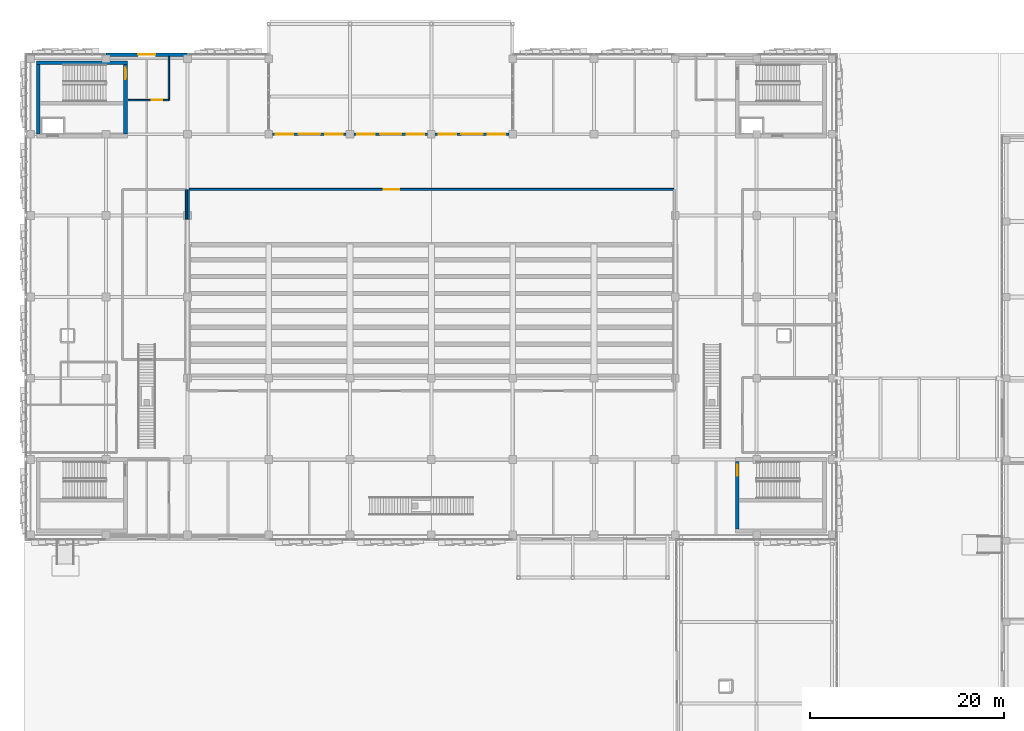
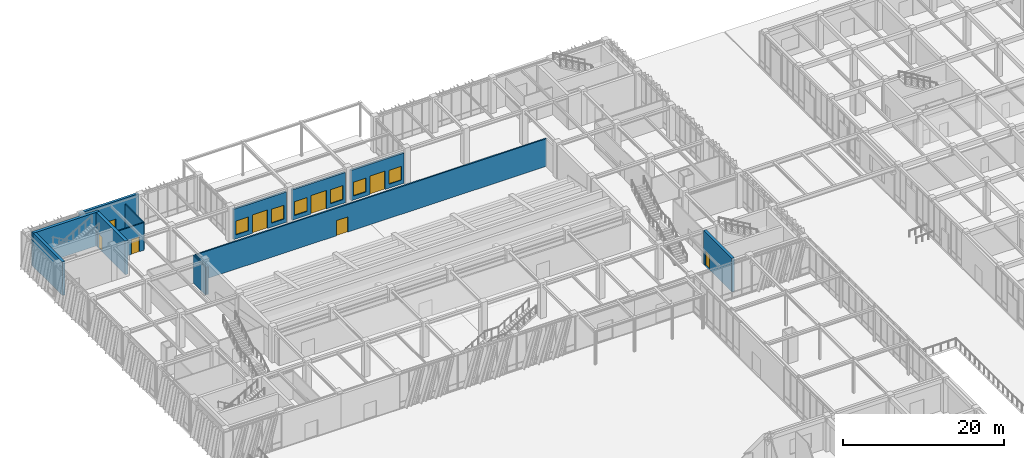
# One storey, part 97 of 122: 13 walls, 8 doors, 6 windows, 14 openings.
"""IFC4 building model written with IfcOpenShell, lengths in metres."""

from ifc_helpers import new_model, si_unit, direction, frame, frame_2d, origin, place, context, subcontext, project, spatial, rectangle, extrude, material, layer, layer_set, type_object, element, fill, save


model = new_model("IFC4")

# Units and contexts
model_context = context("Model", 3, precision=1e-05, world=origin(), true_north=direction((0.0, 1.0)))
body_context = subcontext(model_context, "Body", "Model", "MODEL_VIEW")
ifc_project = project(units=[si_unit("LENGTHUNIT", "METRE"), si_unit("AREAUNIT", "SQUARE_METRE"), si_unit("VOLUMEUNIT", "CUBIC_METRE"), si_unit("PLANEANGLEUNIT", "RADIAN"), si_unit("MASSUNIT", "GRAM", prefix="KILO")], contexts=[model_context])

# Site, building, storey
site_placement = place(None, origin())
site = spatial("IfcSite", under=ifc_project, at=site_placement, CompositionType="ELEMENT")
building_placement = place(site_placement, origin())
building = spatial("IfcBuilding", under=site, at=building_placement, Name="Zayran Congress Hotel", CompositionType="ELEMENT")
storey_placement = place(building_placement, origin())
storey = spatial("IfcBuildingStorey", under=building, at=storey_placement, Name="L00", CompositionType="ELEMENT", Elevation=0.0)

# Wall, opening, door
ifc_material_1 = material(Name="Hajar Ma'ani limestone and insulated concrete C32/40", Category="masonry")
ifc_layer_1 = layer(ifc_material_1, 0.360107421875)
ifc_layer_set_1 = layer_set([ifc_layer_1], Name="Hajar Ma'ani limestone and insulated concrete C32/40")
wall_type_1 = type_object("IfcWallType", Name="WL-EX-360", PredefinedType="SOLIDWALL", material=ifc_layer_set_1)
wall_1_placement = place(storey_placement, frame((16.800048828125, 117.820068359375, 0.0), z_axis=(0.0, 0.0, 1.0), x_axis=(1.0, 0.0, 0.0)))
wall_1 = element("IfcWall", 1, at=wall_1_placement, inside=storey, type_object=wall_type_1, Name="EW-V1-N-L00-1", PredefinedType="SOLIDWALL", context=body_context, shape_type="SweptSolid", body=[
    extrude(rectangle(XDim=8.39990234375, YDim=0.360107421875, at=frame_2d((4.199951171875, 0.0))), origin(), (0.0, 0.0, 1.0), 5.080078125),
])
opening_1_placement = place(wall_1_placement, frame((3.300048828125, 0.0, 0.0)))
opening_1 = element("IfcOpeningElement", 2, at=opening_1_placement, cuts=wall_1, Name="Opening DEX-03", PredefinedType="OPENING", context=body_context, shape_type="SweptSolid", body=[
    extrude(rectangle(XDim=1.800048828125, YDim=2.39990234375, at=frame_2d((0.89990234375, 1.199951171875))), frame((0.0, 0.18994140625, 0.0), z_axis=(0.0, -1.0, 0.0), x_axis=(1.0, 0.0, 0.0)), (0.0, 0.0, 1.0), 0.380126953125),
])
ifc_material_2 = material(Name="Painted steel fire exit door assembly", Category="steel")
door_type_1 = type_object("IfcDoorType", Name="TP-DEX-03", OperationType="DOUBLE_DOOR_SINGLE_SWING", PredefinedType="DOOR", material=ifc_material_2)
door_1_placement = place(opening_1_placement, origin())
door_1 = element("IfcDoor", 3, at=door_1_placement, inside=storey, type_object=door_type_1, Name="North Avenue Exit Door 5", OperationType="DOUBLE_DOOR_SINGLE_SWING", OverallHeight=2.39990234375, OverallWidth=1.800048828125, PredefinedType="DOOR", context=body_context, shape_type="SweptSolid", body=[
    extrude(rectangle(XDim=1.800048828125, YDim=2.39990234375, at=frame_2d((0.89990234375, 1.199951171875))), frame((0.0, 0.02490234375, 0.0), z_axis=(0.0, -1.0, 0.0), x_axis=(1.0, 0.0, 0.0)), (0.0, 0.0, 1.0), 0.050048828125),
])
fill(opening_1, door_1)

# Wall, openings, windows, door
ifc_material_3 = material(Name="Ajlun white limestone and insulated concrete C32/40", Category="masonry")
ifc_layer_2 = layer(ifc_material_3, 0.300048828125)
ifc_layer_set_2 = layer_set([ifc_layer_2], Name="Ajlun white limestone and insulated concrete C32/40")
wall_type_2 = type_object("IfcWallType", Name="WL-EX-300", PredefinedType="SOLIDWALL", material=ifc_layer_set_2)
wall_2_placement = place(storey_placement, frame((34.0, 109.60009765625, 0.0), z_axis=(0.0, 0.0, 1.0), x_axis=(1.0, 0.0, 0.0)))
wall_2 = element("IfcWall", 4, at=wall_2_placement, inside=storey, type_object=wall_type_2, Name="EW-V1-NFOY-L00-3", PredefinedType="SOLIDWALL", context=body_context, shape_type="SweptSolid", body=[
    extrude(rectangle(XDim=7.60009765625, YDim=0.300048828125, at=frame_2d((3.800048828125, 0.0))), origin(), (0.0, 0.0, 1.0), 4.580078125),
])
opening_2_placement = place(wall_2_placement, frame((2.699951171875, 0.0, 0.0)))
opening_2 = element("IfcOpeningElement", 5, at=opening_2_placement, cuts=wall_2, Name="Opening DEX-01", PredefinedType="OPENING", context=body_context, shape_type="SweptSolid", body=[
    extrude(rectangle(XDim=2.199951171875, YDim=2.800048828125, at=frame_2d((1.10009765625, 1.39990234375))), frame((0.0, 0.159912109375, 0.0), z_axis=(0.0, -1.0, 0.0), x_axis=(1.0, 0.0, 0.0)), (0.0, 0.0, 1.0), 0.320068359375),
])
opening_3_placement = place(wall_2_placement, frame((0.35009765625, 0.0, 0.60009765625)))
opening_3 = element("IfcOpeningElement", 6, at=opening_3_placement, cuts=wall_2, Name="Opening WN-08", PredefinedType="OPENING", context=body_context, shape_type="SweptSolid", body=[
    extrude(rectangle(XDim=1.800048828125, YDim=2.10009765625, at=frame_2d((0.89990234375, 1.050048828125))), frame((0.0, 0.159912109375, 0.0), z_axis=(0.0, -1.0, 0.0), x_axis=(1.0, 0.0, 0.0)), (0.0, 0.0, 1.0), 0.320068359375),
])
opening_4_placement = place(wall_2_placement, frame((5.449951171875, 0.0, 0.60009765625)))
opening_4 = element("IfcOpeningElement", 7, at=opening_4_placement, cuts=wall_2, Name="Opening WN-08", PredefinedType="OPENING", context=body_context, shape_type="SweptSolid", body=[
    extrude(rectangle(XDim=1.800048828125, YDim=2.10009765625, at=frame_2d((0.89990234375, 1.050048828125))), frame((0.0, 0.159912109375, 0.0), z_axis=(0.0, -1.0, 0.0), x_axis=(1.0, 0.0, 0.0)), (0.0, 0.0, 1.0), 0.320068359375),
])
ifc_material_4 = material(Name="Anodised aluminium and low-E insulated glass", Category="aluminium")
window_type = type_object("IfcWindowType", Name="TP-WN-08", PartitioningType="DOUBLE_PANEL_VERTICAL", PredefinedType="WINDOW", material=ifc_material_4)
window_1_placement = place(opening_3_placement, origin())
window_1 = element("IfcWindow", 8, at=window_1_placement, inside=storey, type_object=window_type, Name="WIN-V1NF-6-3", OverallHeight=2.10009765625, OverallWidth=1.800048828125, PartitioningType="SINGLE_PANEL", PredefinedType="WINDOW", context=body_context, shape_type="SweptSolid", body=[
    extrude(rectangle(XDim=1.800048828125, YDim=2.10009765625, at=frame_2d((0.89990234375, 1.050048828125))), frame((0.0, 0.030029296875, 0.0), z_axis=(0.0, -1.0, 0.0), x_axis=(1.0, 0.0, 0.0)), (0.0, 0.0, 1.0), 0.06005859375),
])
fill(opening_3, window_1)
window_2_placement = place(opening_4_placement, origin())
window_2 = element("IfcWindow", 9, at=window_2_placement, inside=storey, type_object=window_type, Name="WIN-V1NF-6-54", OverallHeight=2.10009765625, OverallWidth=1.800048828125, PartitioningType="SINGLE_PANEL", PredefinedType="WINDOW", context=body_context, shape_type="SweptSolid", body=[
    extrude(rectangle(XDim=1.800048828125, YDim=2.10009765625, at=frame_2d((0.89990234375, 1.050048828125))), frame((0.0, 0.030029296875, 0.0), z_axis=(0.0, -1.0, 0.0), x_axis=(1.0, 0.0, 0.0)), (0.0, 0.0, 1.0), 0.06005859375),
])
fill(opening_4, window_2)
ifc_material_5 = material(Name="Anodised aluminium glazed entrance door", Category="aluminium")
door_type_2 = type_object("IfcDoorType", Name="TP-DEX-01", OperationType="DOUBLE_DOOR_SINGLE_SWING", PredefinedType="DOOR", material=ifc_material_5)
door_2_placement = place(opening_2_placement, origin())
door_2 = element("IfcDoor", 10, at=door_2_placement, inside=storey, type_object=door_type_2, Name="North Avenue Recessed Foyer Grand Entrance Door 6", OperationType="DOUBLE_DOOR_SINGLE_SWING", OverallHeight=2.800048828125, OverallWidth=2.199951171875, PredefinedType="DOOR", context=body_context, shape_type="SweptSolid", body=[
    extrude(rectangle(XDim=2.199951171875, YDim=2.800048828125, at=frame_2d((1.10009765625, 1.39990234375))), frame((0.0, 0.02490234375, 0.0), z_axis=(0.0, -1.0, 0.0), x_axis=(1.0, 0.0, 0.0)), (0.0, 0.0, 1.0), 0.050048828125),
])
fill(opening_2, door_2)

wall_3_placement = place(storey_placement, frame((42.39990234375, 109.60009765625, 0.0), z_axis=(0.0, 0.0, 1.0), x_axis=(1.0, 0.0, 0.0)))
wall_3 = element("IfcWall", 11, at=wall_3_placement, inside=storey, type_object=wall_type_2, Name="EW-V1-NFOY-L00-4", PredefinedType="SOLIDWALL", context=body_context, shape_type="SweptSolid", body=[
    extrude(rectangle(XDim=7.60009765625, YDim=0.300048828125, at=frame_2d((3.800048828125, 0.0))), origin(), (0.0, 0.0, 1.0), 4.580078125),
])
opening_5_placement = place(wall_3_placement, frame((2.699951171875, 0.0, 0.0)))
opening_5 = element("IfcOpeningElement", 12, at=opening_5_placement, cuts=wall_3, Name="Opening DEX-01", PredefinedType="OPENING", context=body_context, shape_type="SweptSolid", body=[
    extrude(rectangle(XDim=2.199951171875, YDim=2.800048828125, at=frame_2d((1.10009765625, 1.39990234375))), frame((0.0, 0.159912109375, 0.0), z_axis=(0.0, -1.0, 0.0), x_axis=(1.0, 0.0, 0.0)), (0.0, 0.0, 1.0), 0.320068359375),
])
opening_6_placement = place(wall_3_placement, frame((0.35009765625, 0.0, 0.60009765625)))
opening_6 = element("IfcOpeningElement", 13, at=opening_6_placement, cuts=wall_3, Name="Opening WN-08", PredefinedType="OPENING", context=body_context, shape_type="SweptSolid", body=[
    extrude(rectangle(XDim=1.800048828125, YDim=2.10009765625, at=frame_2d((0.89990234375, 1.050048828125))), frame((0.0, 0.159912109375, 0.0), z_axis=(0.0, -1.0, 0.0), x_axis=(1.0, 0.0, 0.0)), (0.0, 0.0, 1.0), 0.320068359375),
])
opening_7_placement = place(wall_3_placement, frame((5.449951171875, 0.0, 0.60009765625)))
opening_7 = element("IfcOpeningElement", 14, at=opening_7_placement, cuts=wall_3, Name="Opening WN-08", PredefinedType="OPENING", context=body_context, shape_type="SweptSolid", body=[
    extrude(rectangle(XDim=1.800048828125, YDim=2.10009765625, at=frame_2d((0.89990234375, 1.050048828125))), frame((0.0, 0.159912109375, 0.0), z_axis=(0.0, -1.0, 0.0), x_axis=(1.0, 0.0, 0.0)), (0.0, 0.0, 1.0), 0.320068359375),
])
window_3_placement = place(opening_6_placement, origin())
window_3 = element("IfcWindow", 15, at=window_3_placement, inside=storey, type_object=window_type, Name="WIN-V1NF-7-3", OverallHeight=2.10009765625, OverallWidth=1.800048828125, PartitioningType="SINGLE_PANEL", PredefinedType="WINDOW", context=body_context, shape_type="SweptSolid", body=[
    extrude(rectangle(XDim=1.800048828125, YDim=2.10009765625, at=frame_2d((0.89990234375, 1.050048828125))), frame((0.0, 0.030029296875, 0.0), z_axis=(0.0, -1.0, 0.0), x_axis=(1.0, 0.0, 0.0)), (0.0, 0.0, 1.0), 0.06005859375),
])
fill(opening_6, window_3)
window_4_placement = place(opening_7_placement, origin())
window_4 = element("IfcWindow", 16, at=window_4_placement, inside=storey, type_object=window_type, Name="WIN-V1NF-7-54", OverallHeight=2.10009765625, OverallWidth=1.800048828125, PartitioningType="SINGLE_PANEL", PredefinedType="WINDOW", context=body_context, shape_type="SweptSolid", body=[
    extrude(rectangle(XDim=1.800048828125, YDim=2.10009765625, at=frame_2d((0.89990234375, 1.050048828125))), frame((0.0, 0.030029296875, 0.0), z_axis=(0.0, -1.0, 0.0), x_axis=(1.0, 0.0, 0.0)), (0.0, 0.0, 1.0), 0.06005859375),
])
fill(opening_7, window_4)
door_3_placement = place(opening_5_placement, origin())
door_3 = element("IfcDoor", 17, at=door_3_placement, inside=storey, type_object=door_type_2, Name="North Avenue Recessed Foyer Grand Entrance Door 7", OperationType="DOUBLE_DOOR_SINGLE_SWING", OverallHeight=2.800048828125, OverallWidth=2.199951171875, PredefinedType="DOOR", context=body_context, shape_type="SweptSolid", body=[
    extrude(rectangle(XDim=2.199951171875, YDim=2.800048828125, at=frame_2d((1.10009765625, 1.39990234375))), frame((0.0, 0.02490234375, 0.0), z_axis=(0.0, -1.0, 0.0), x_axis=(1.0, 0.0, 0.0)), (0.0, 0.0, 1.0), 0.050048828125),
])
fill(opening_5, door_3)

wall_4_placement = place(storey_placement, frame((50.800048828125, 109.60009765625, 0.0), z_axis=(0.0, 0.0, 1.0), x_axis=(1.0, 0.0, 0.0)))
wall_4 = element("IfcWall", 18, at=wall_4_placement, inside=storey, type_object=wall_type_2, Name="EW-V1-NFOY-L00-5", PredefinedType="SOLIDWALL", context=body_context, shape_type="SweptSolid", body=[
    extrude(rectangle(XDim=7.599853515625, YDim=0.300048828125, at=frame_2d((3.7998046875, 0.0))), origin(), (0.0, 0.0, 1.0), 4.580078125),
])
opening_8_placement = place(wall_4_placement, frame((2.699951171875, 0.0, 0.0)))
opening_8 = element("IfcOpeningElement", 19, at=opening_8_placement, cuts=wall_4, Name="Opening DEX-01", PredefinedType="OPENING", context=body_context, shape_type="SweptSolid", body=[
    extrude(rectangle(XDim=2.199951171875, YDim=2.800048828125, at=frame_2d((1.10009765625, 1.39990234375))), frame((0.0, 0.159912109375, 0.0), z_axis=(0.0, -1.0, 0.0), x_axis=(1.0, 0.0, 0.0)), (0.0, 0.0, 1.0), 0.320068359375),
])
opening_9_placement = place(wall_4_placement, frame((0.35009765625, 0.0, 0.60009765625)))
opening_9 = element("IfcOpeningElement", 20, at=opening_9_placement, cuts=wall_4, Name="Opening WN-08", PredefinedType="OPENING", context=body_context, shape_type="SweptSolid", body=[
    extrude(rectangle(XDim=1.800048828125, YDim=2.10009765625, at=frame_2d((0.89990234375, 1.050048828125))), frame((0.0, 0.159912109375, 0.0), z_axis=(0.0, -1.0, 0.0), x_axis=(1.0, 0.0, 0.0)), (0.0, 0.0, 1.0), 0.320068359375),
])
opening_10_placement = place(wall_4_placement, frame((5.449951171875, 0.0, 0.60009765625)))
opening_10 = element("IfcOpeningElement", 21, at=opening_10_placement, cuts=wall_4, Name="Opening WN-08", PredefinedType="OPENING", context=body_context, shape_type="SweptSolid", body=[
    extrude(rectangle(XDim=1.800048828125, YDim=2.10009765625, at=frame_2d((0.89990234375, 1.050048828125))), frame((0.0, 0.159912109375, 0.0), z_axis=(0.0, -1.0, 0.0), x_axis=(1.0, 0.0, 0.0)), (0.0, 0.0, 1.0), 0.320068359375),
])
window_5_placement = place(opening_9_placement, origin())
window_5 = element("IfcWindow", 22, at=window_5_placement, inside=storey, type_object=window_type, Name="WIN-V1NF-8-3", OverallHeight=2.10009765625, OverallWidth=1.800048828125, PartitioningType="SINGLE_PANEL", PredefinedType="WINDOW", context=body_context, shape_type="SweptSolid", body=[
    extrude(rectangle(XDim=1.800048828125, YDim=2.10009765625, at=frame_2d((0.89990234375, 1.050048828125))), frame((0.0, 0.030029296875, 0.0), z_axis=(0.0, -1.0, 0.0), x_axis=(1.0, 0.0, 0.0)), (0.0, 0.0, 1.0), 0.06005859375),
])
fill(opening_9, window_5)
window_6_placement = place(opening_10_placement, origin())
window_6 = element("IfcWindow", 23, at=window_6_placement, inside=storey, type_object=window_type, Name="WIN-V1NF-8-54", OverallHeight=2.10009765625, OverallWidth=1.800048828125, PartitioningType="SINGLE_PANEL", PredefinedType="WINDOW", context=body_context, shape_type="SweptSolid", body=[
    extrude(rectangle(XDim=1.800048828125, YDim=2.10009765625, at=frame_2d((0.89990234375, 1.050048828125))), frame((0.0, 0.030029296875, 0.0), z_axis=(0.0, -1.0, 0.0), x_axis=(1.0, 0.0, 0.0)), (0.0, 0.0, 1.0), 0.06005859375),
])
fill(opening_10, window_6)
door_4_placement = place(opening_8_placement, origin())
door_4 = element("IfcDoor", 24, at=door_4_placement, inside=storey, type_object=door_type_2, Name="North Avenue Recessed Foyer Grand Entrance Door 8", OperationType="DOUBLE_DOOR_SINGLE_SWING", OverallHeight=2.800048828125, OverallWidth=2.199951171875, PredefinedType="DOOR", context=body_context, shape_type="SweptSolid", body=[
    extrude(rectangle(XDim=2.199951171875, YDim=2.800048828125, at=frame_2d((1.10009765625, 1.39990234375))), frame((0.0, 0.02490234375, 0.0), z_axis=(0.0, -1.0, 0.0), x_axis=(1.0, 0.0, 0.0)), (0.0, 0.0, 1.0), 0.050048828125),
])
fill(opening_8, door_4)

# Walls
ifc_material_6 = material(Name="Concrete C40/50", Category="concrete")
ifc_layer_3 = layer(ifc_material_6, 0.39990234375)
ifc_layer_set_3 = layer_set([ifc_layer_3], Name="Concrete C40/50")
wall_type_3 = type_object("IfcWallType", Name="WL-SH-400", PredefinedType="SHEAR", material=ifc_layer_set_3)
wall_5_placement = place(storey_placement, frame((19.0, 116.985107421875, 0.0), z_axis=(0.0, 0.0, 1.0), x_axis=(-1.0, 0.0, 0.0)))
element("IfcWall", 25, at=wall_5_placement, inside=storey, type_object=wall_type_3, Name="CWALL-C-V1W-L00-N", PredefinedType="SHEAR", context=body_context, shape_type="SweptSolid", body=[
    extrude(rectangle(XDim=9.39990234375, YDim=0.39990234375, at=frame_2d((4.699951171875, 0.0))), origin(), (0.0, 0.0, 1.0), 5.080078125),
])
wall_6_placement = place(storey_placement, frame((9.800048828125, 116.800048828125, 0.0), z_axis=(0.0, 0.0, 1.0), x_axis=(0.0, -1.0, 0.0)))
element("IfcWall", 26, at=wall_6_placement, inside=storey, type_object=wall_type_3, Name="CWALL-C-V1W-L00-W", PredefinedType="SHEAR", context=body_context, shape_type="SweptSolid", body=[
    extrude(rectangle(XDim=7.199951171875, YDim=0.39990234375, at=frame_2d((3.60009765625, 0.0))), origin(), (0.0, 0.0, 1.0), 5.080078125),
])

# Wall, opening, door
wall_7_placement = place(storey_placement, frame((18.800048828125, 109.60009765625, 0.0), z_axis=(0.0, 0.0, 1.0), x_axis=(0.0, 1.0, 0.0)))
wall_7 = element("IfcWall", 27, at=wall_7_placement, inside=storey, type_object=wall_type_3, Name="CWALL-C-V1W-L00-E", PredefinedType="SHEAR", context=body_context, shape_type="SweptSolid", body=[
    extrude(rectangle(XDim=7.199951171875, YDim=0.39990234375, at=frame_2d((3.60009765625, 0.0))), origin(), (0.0, 0.0, 1.0), 5.080078125),
])
opening_11_placement = place(wall_7_placement, frame((5.699951171875, 0.0, 0.0)))
opening_11 = element("IfcOpeningElement", 28, at=opening_11_placement, cuts=wall_7, Name="Opening DR-FD-90", PredefinedType="OPENING", context=body_context, shape_type="SweptSolid", body=[
    extrude(rectangle(XDim=1.14990234375, YDim=2.199951171875, at=frame_2d((0.574951171875, 1.10009765625))), frame((0.0, 0.2099609375, 0.0), z_axis=(0.0, -1.0, 0.0), x_axis=(1.0, 0.0, 0.0)), (0.0, 0.0, 1.0), 0.419921875),
])
ifc_material_7 = material(Name="Painted steel fire door assembly", Category="steel")
door_type_3 = type_object("IfcDoorType", Name="TP-DR-FD-90", OperationType="NOTDEFINED", PredefinedType="DOOR", material=ifc_material_7)
door_5_placement = place(opening_11_placement, origin())
door_5 = element("IfcDoor", 29, at=door_5_placement, inside=storey, type_object=door_type_3, Name="ST-03 Exit Stair Door L00", OperationType="SINGLE_SWING_LEFT", OverallHeight=2.199951171875, OverallWidth=1.14990234375, PredefinedType="DOOR", context=body_context, shape_type="SweptSolid", body=[
    extrude(rectangle(XDim=1.14990234375, YDim=2.199951171875, at=frame_2d((0.574951171875, 1.10009765625))), frame((0.0, 0.02490234375, 0.0), z_axis=(0.0, -1.0, 0.0), x_axis=(1.0, 0.0, 0.0)), (0.0, 0.0, 1.0), 0.050048828125),
])
fill(opening_11, door_5)

wall_8_placement = place(storey_placement, frame((82.0, 75.800048828125, 0.0), z_axis=(0.0, 0.0, 1.0), x_axis=(0.0, -1.0, 0.0)))
wall_8 = element("IfcWall", 30, at=wall_8_placement, inside=storey, type_object=wall_type_3, Name="CWALL-C-V1F-L00-W", PredefinedType="SHEAR", context=body_context, shape_type="SweptSolid", body=[
    extrude(rectangle(XDim=7.0, YDim=0.39990234375, at=frame_2d((3.5, 0.0))), origin(), (0.0, 0.0, 1.0), 5.080078125),
])
opening_12_placement = place(wall_8_placement, frame((0.35009765625, 0.0, 0.0)))
opening_12 = element("IfcOpeningElement", 31, at=opening_12_placement, cuts=wall_8, Name="Opening DR-FD-90", PredefinedType="OPENING", context=body_context, shape_type="SweptSolid", body=[
    extrude(rectangle(XDim=1.14990234375, YDim=2.199951171875, at=frame_2d((0.574951171875, 1.10009765625))), frame((0.0, 0.2099609375, 0.0), z_axis=(0.0, -1.0, 0.0), x_axis=(1.0, 0.0, 0.0)), (0.0, 0.0, 1.0), 0.419921875),
])
door_6_placement = place(opening_12_placement, origin())
door_6 = element("IfcDoor", 32, at=door_6_placement, inside=storey, type_object=door_type_3, Name="ST-06 Exit Stair Door L00", OperationType="SINGLE_SWING_RIGHT", OverallHeight=2.199951171875, OverallWidth=1.14990234375, PredefinedType="DOOR", context=body_context, shape_type="SweptSolid", body=[
    extrude(rectangle(XDim=1.14990234375, YDim=2.199951171875, at=frame_2d((0.574951171875, 1.10009765625))), frame((0.0, 0.02490234375, 0.0), z_axis=(0.0, -1.0, 0.0), x_axis=(1.0, 0.0, 0.0)), (0.0, 0.0, 1.0), 0.050048828125),
])
fill(opening_12, door_6)

ifc_material_8 = material(Name="Concrete C32/40 acoustic masonry", Category="masonry")
ifc_layer_4 = layer(ifc_material_8, 0.199951171875)
ifc_layer_set_4 = layer_set([ifc_layer_4], Name="Concrete C32/40 acoustic masonry")
wall_type_4 = type_object("IfcWallType", Name="WL-SL-200", PredefinedType="SOLIDWALL", material=ifc_layer_set_4)
wall_9_placement = place(storey_placement, frame((25.320068359375, 103.89990234375, 0.0), z_axis=(0.0, 0.0, 1.0), x_axis=(1.0, 0.0, 0.0)))
wall_9 = element("IfcWall", 33, at=wall_9_placement, inside=storey, type_object=wall_type_4, Name="IW-L00-0389", PredefinedType="SOLIDWALL", context=body_context, shape_type="SweptSolid", body=[
    extrude(rectangle(XDim=50.159912109375, YDim=0.199951171875, at=frame_2d((25.080078125, 0.0))), origin(), (0.0, 0.0, 1.0), 4.179931640625),
])
opening_13_placement = place(wall_9_placement, frame((20.166015625, 0.0, 0.0)))
opening_13 = element("IfcOpeningElement", 34, at=opening_13_placement, cuts=wall_9, Name="Opening DR-MT-02", PredefinedType="OPENING", context=body_context, shape_type="SweptSolid", body=[
    extrude(rectangle(XDim=1.60009765625, YDim=2.300048828125, at=frame_2d((0.800048828125, 1.14990234375))), frame((0.0, 0.10986328125, 0.0), z_axis=(0.0, -1.0, 0.0), x_axis=(1.0, 0.0, 0.0)), (0.0, 0.0, 1.0), 0.219970703125),
])
ifc_material_9 = material(Name="Double acoustic timber boardroom door", Category="wood")
door_type_4 = type_object("IfcDoorType", Name="TP-DR-MT-02", OperationType="DOUBLE_DOOR_SINGLE_SWING", PredefinedType="DOOR", material=ifc_material_9)
door_7_placement = place(opening_13_placement, origin())
door_7 = element("IfcDoor", 35, at=door_7_placement, inside=storey, type_object=door_type_4, Name="Congress Stage Door", OperationType="DOUBLE_DOOR_SINGLE_SWING", OverallHeight=2.300048828125, OverallWidth=1.60009765625, PredefinedType="DOOR", context=body_context, shape_type="SweptSolid", body=[
    extrude(rectangle(XDim=1.60009765625, YDim=2.300048828125, at=frame_2d((0.800048828125, 1.14990234375))), frame((0.0, 0.02490234375, 0.0), z_axis=(0.0, -1.0, 0.0), x_axis=(1.0, 0.0, 0.0)), (0.0, 0.0, 1.0), 0.050048828125),
])
fill(opening_13, door_7)

# Wall
wall_10_placement = place(storey_placement, frame((25.300048828125, 100.800048828125, 0.0), z_axis=(0.0, 0.0, 1.0), x_axis=(0.0, 1.0, 0.0)))
element("IfcWall", 36, at=wall_10_placement, inside=storey, type_object=wall_type_4, Name="IW-L00-1655", PredefinedType="SOLIDWALL", context=body_context, shape_type="SweptSolid", body=[
    extrude(rectangle(XDim=3.079833984375, YDim=0.199951171875, at=frame_2d((1.5400390625, 0.0))), origin(), (0.0, 0.0, 1.0), 4.179931640625),
])

# Wall, opening, door
ifc_material_10 = material(Name="Acoustic twin-stud gypsum partition", Category="gypsum")
ifc_layer_5 = layer(ifc_material_10, 0.159912109375)
ifc_layer_set_5 = layer_set([ifc_layer_5], Name="Acoustic twin-stud gypsum partition")
wall_type_5 = type_object("IfcWallType", Name="WL-PT-160", PredefinedType="PARTITIONING", material=ifc_layer_set_5)
wall_11_placement = place(storey_placement, frame((19.070068359375, 113.1201171875, 0.0), z_axis=(0.0, 0.0, 1.0), x_axis=(1.0, 0.0, 0.0)))
wall_11 = element("IfcWall", 37, at=wall_11_placement, inside=storey, type_object=wall_type_5, Name="IW-L00-0393", PredefinedType="PARTITIONING", context=body_context, shape_type="SweptSolid", body=[
    extrude(rectangle(XDim=4.2099609375, YDim=0.159912109375, at=frame_2d((2.10498046875, 0.0))), origin(), (0.0, 0.0, 1.0), 4.179931640625),
])
opening_14_placement = place(wall_11_placement, frame((2.449951171875, 0.0, 0.0)))
opening_14 = element("IfcOpeningElement", 38, at=opening_14_placement, cuts=wall_11, Name="Opening DR-MT-01", PredefinedType="OPENING", context=body_context, shape_type="SweptSolid", body=[
    extrude(rectangle(XDim=1.080078125, YDim=2.25, at=frame_2d((0.5400390625, 1.125))), frame((0.0, 0.08984375, 0.0), z_axis=(0.0, -1.0, 0.0), x_axis=(1.0, 0.0, 0.0)), (0.0, 0.0, 1.0), 0.179931640625),
])
ifc_material_11 = material(Name="Acoustic timber seminar room door", Category="wood")
door_type_5 = type_object("IfcDoorType", Name="TP-DR-MT-01", OperationType="NOTDEFINED", PredefinedType="DOOR", material=ifc_material_11)
door_8_placement = place(opening_14_placement, origin())
door_8 = element("IfcDoor", 39, at=door_8_placement, inside=storey, type_object=door_type_5, Name="Protected Exit Vestibule ST-03 L00 Door", OperationType="SINGLE_SWING_RIGHT", OverallHeight=2.25, OverallWidth=1.080078125, PredefinedType="DOOR", context=body_context, shape_type="SweptSolid", body=[
    extrude(rectangle(XDim=1.080078125, YDim=2.25, at=frame_2d((0.5400390625, 1.125))), frame((0.0, 0.02490234375, 0.0), z_axis=(0.0, -1.0, 0.0), x_axis=(1.0, 0.0, 0.0)), (0.0, 0.0, 1.0), 0.050048828125),
])
fill(opening_14, door_8)

# Walls
wall_12_placement = place(storey_placement, frame((25.080078125, 100.800048828125, 0.0), z_axis=(0.0, 0.0, 1.0), x_axis=(0.0, 1.0, 0.0)))
element("IfcWall", 40, at=wall_12_placement, inside=storey, type_object=wall_type_5, Name="IW-L00-1659", PredefinedType="PARTITIONING", context=body_context, shape_type="SweptSolid", body=[
    extrude(rectangle(XDim=3.079833984375, YDim=0.159912109375, at=frame_2d((1.5400390625, 0.0))), origin(), (0.0, 0.0, 1.0), 4.179931640625),
])
wall_13_placement = place(storey_placement, frame((23.280029296875, 113.1201171875, 0.0), z_axis=(0.0, 0.0, 1.0), x_axis=(0.0, 1.0, 0.0)))
element("IfcWall", 41, at=wall_13_placement, inside=storey, type_object=wall_type_5, Name="IW-L00-1663", PredefinedType="PARTITIONING", context=body_context, shape_type="SweptSolid", body=[
    extrude(rectangle(XDim=4.519775390625, YDim=0.159912109375, at=frame_2d((2.259765625, 0.0))), origin(), (0.0, 0.0, 1.0), 4.179931640625),
])

save(model, "model.ifc")
